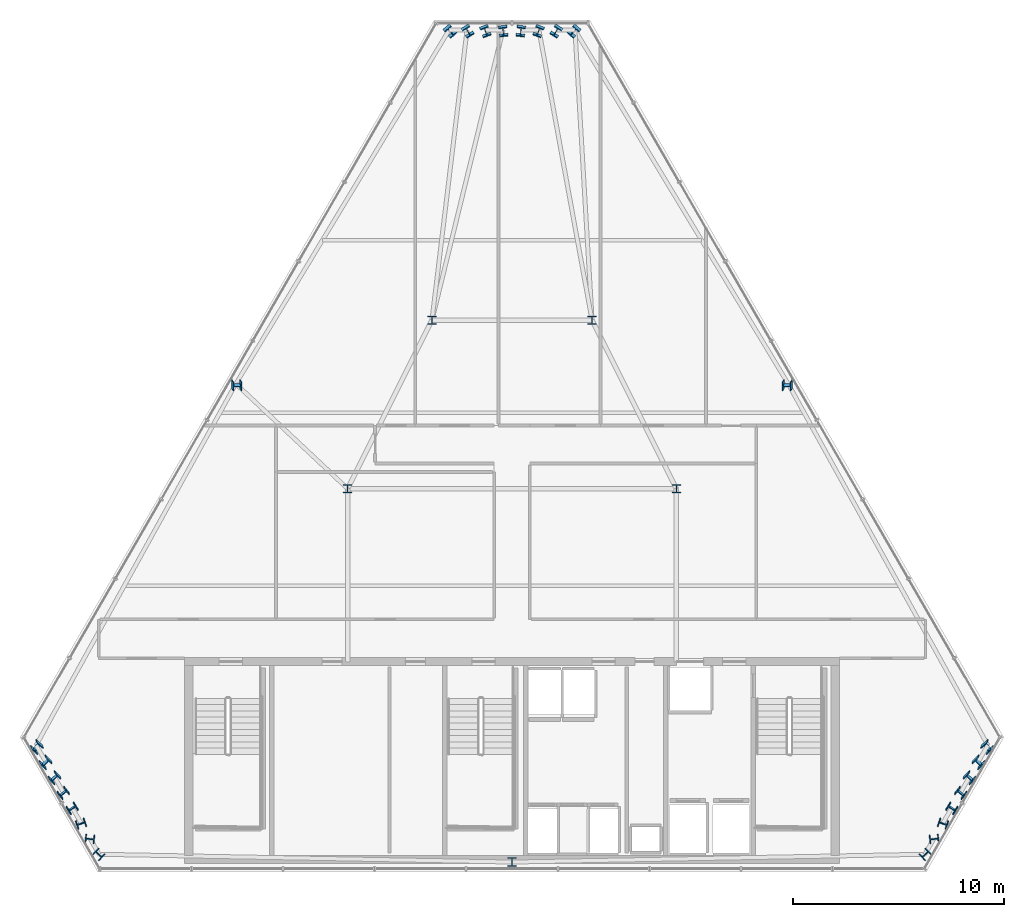
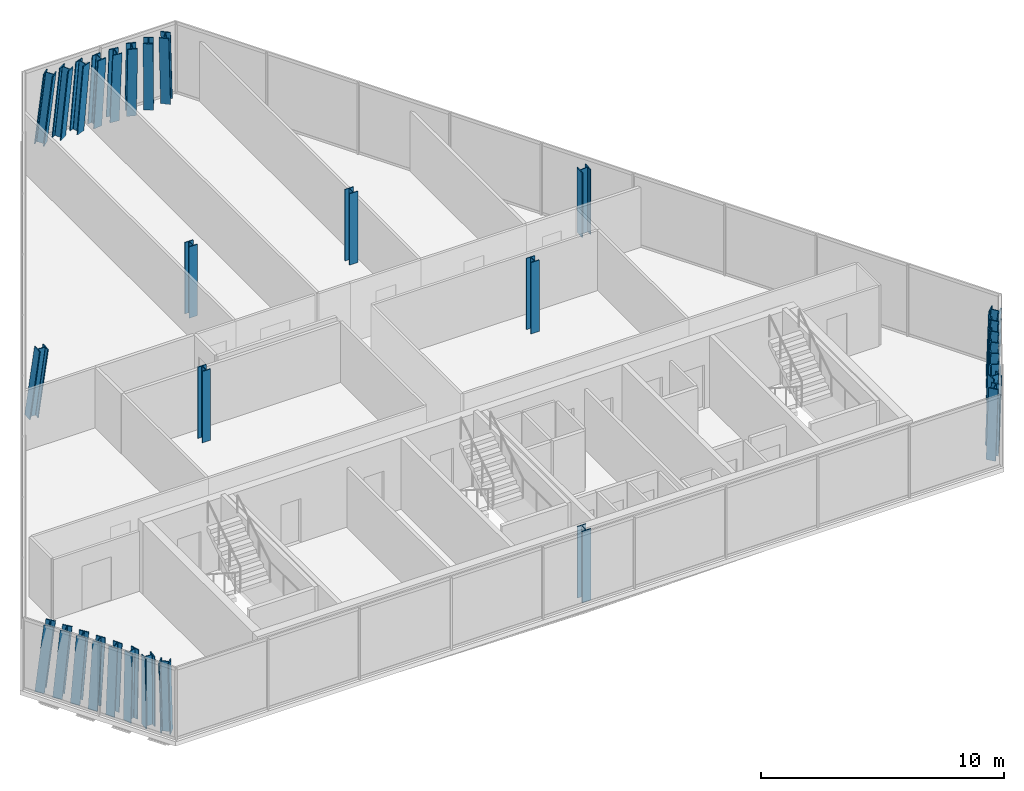
# One storey, part 1 of 29: 31 columns.
"""IFC4 building model written with IfcOpenShell, lengths in metres."""

from ifc_helpers import new_model, si_unit, direction, frame, origin, origin_2d, place, context, subcontext, project, spatial, i_section, extrude, material, material_profile, profile_set, type_object, element, save


model = new_model("IFC4")

# Units and contexts
model_context = context("Model", 3, precision=1e-05, world=origin(), true_north=direction((0.0, 1.0)))
body_context = subcontext(model_context, "Body", "Model", "MODEL_VIEW")
ifc_project = project(units=[si_unit("LENGTHUNIT", "METRE"), si_unit("AREAUNIT", "SQUARE_METRE"), si_unit("VOLUMEUNIT", "CUBIC_METRE"), si_unit("PLANEANGLEUNIT", "RADIAN"), si_unit("MASSUNIT", "GRAM", prefix="KILO")], contexts=[model_context])

# Site, building, storey
site_placement = place(None, origin())
site = spatial("IfcSite", under=ifc_project, at=site_placement, CompositionType="ELEMENT")
building_placement = place(site_placement, origin())
building = spatial("IfcBuilding", under=site, at=building_placement, Name="Ndaravel Arena Tower", CompositionType="ELEMENT")
storey_placement = place(building_placement, frame((0.0, 0.0, 237.0)))
storey = spatial("IfcBuildingStorey", under=building, at=storey_placement, Name="L57", CompositionType="ELEMENT", Elevation=237.0)

# Columns
ifc_material_1 = material(Name="Steel S355", Category="steel")
ifc_material_profile_1 = material_profile(ifc_material_1, i_section(OverallWidth=0.39892578125, OverallDepth=0.3935546875, WebThickness=0.022705078125, FlangeThickness=0.03662109375, FilletRadius=0.01513671875, at=origin_2d()), Name="UC 356x406x287")
ifc_profile_set_1 = profile_set([ifc_material_profile_1], Name="Steel S355")
column_type_1 = type_object("IfcColumnType", Name="COL-INT-UC287", PredefinedType="COLUMN", material=ifc_profile_set_1)
for number, where, z_axis, x_axis, name in (
    (1, (34.199951171875, 23.199951171875, 0.0), (0.0, 0.0, 1.0), (1.0, 0.0, 0.0), "L57 Interior Spine Column IC-01"),
    (2, (49.800048828125, 23.199951171875, 0.0), (0.0, 0.0, 1.0), (1.0, 0.0, 0.0), "L57 Interior Spine Column IC-02"),
    (3, (38.199951171875, 31.199951171875, 0.0), (0.0, 0.0, 1.0), (1.0, 0.0, 0.0), "L57 Interior Spine Column IC-03"),
    (4, (45.800048828125, 31.199951171875, 0.0), (0.0, 0.0, 1.0), (1.0, 0.0, 0.0), "L57 Interior Spine Column IC-04"),
):
    element("IfcColumn", number, at=place(storey_placement, frame(where, z_axis=z_axis, x_axis=x_axis)), inside=storey, type_object=column_type_1, Name=name, PredefinedType="COLUMN", context=body_context, shape_type="SweptSolid", body=[
        extrude(i_section(OverallWidth=0.39892578125, OverallDepth=0.3935546875, WebThickness=0.022705078125, FlangeThickness=0.03662109375, FilletRadius=0.01513671875, at=origin_2d()), origin(), (0.0, 0.0, 1.0), 3.580078125),
    ])
ifc_material_2 = material(Name="Steel S355", Category="steel")
ifc_material_profile_2 = material_profile(ifc_material_2, i_section(OverallWidth=0.412109375, OverallDepth=0.43505859375, WebThickness=0.035888671875, FlangeThickness=0.0439453125, FilletRadius=0.014892578125, at=origin_2d()), Name="HD 400x463")
ifc_profile_set_2 = profile_set([ifc_material_profile_2], Name="Steel S355")
column_type_2 = type_object("IfcColumnType", Name="COL-TUBE-HD463", PredefinedType="COLUMN", material=ifc_profile_set_2)
column_1_placement = place(storey_placement, frame((42.0, 5.47998046875, 0.0), z_axis=(0.0, 0.0, 1.0), x_axis=(1.0, 0.0, 0.0)))
element("IfcColumn", 5, at=column_1_placement, inside=storey, type_object=column_type_2, Name="L57 Framed Tube Column TC-01", PredefinedType="COLUMN", context=body_context, shape_type="SweptSolid", body=[
    extrude(i_section(OverallWidth=0.412109375, OverallDepth=0.43505859375, WebThickness=0.035888671875, FlangeThickness=0.0439453125, FilletRadius=0.014892578125, at=origin_2d()), origin(), (0.0, 0.0, 1.0), 3.580078125),
])
column_2_placement = place(storey_placement, frame((61.597412109375, 5.849609375, 0.0), z_axis=(0.029241641936, -0.008929265953, 0.999532488009), x_axis=(-0.681858172917, 0.731005012271, 0.026478369666)))
element("IfcColumn", 6, at=column_2_placement, inside=storey, type_object=column_type_2, Name="L57 Framed Tube Column TC-02", PredefinedType="COLUMN", context=body_context, shape_type="SweptSolid", body=[
    extrude(i_section(OverallWidth=0.412109375, OverallDepth=0.43505859375, WebThickness=0.035888671875, FlangeThickness=0.0439453125, FilletRadius=0.014892578125, at=origin_2d()), origin(), (0.0, 0.0, 1.0), 3.581787109375),
])
column_3_placement = place(storey_placement, frame((62.0244140625, 6.589111328125, 0.0), z_axis=(0.018879617772, -0.026854041163, 0.999461065028), x_axis=(-0.088781800771, 0.995645322005, 0.028428588085)))
element("IfcColumn", 7, at=column_3_placement, inside=storey, type_object=column_type_2, Name="L57 Framed Tube Column TC-03", PredefinedType="COLUMN", context=body_context, shape_type="SweptSolid", body=[
    extrude(i_section(OverallWidth=0.412109375, OverallDepth=0.43505859375, WebThickness=0.035888671875, FlangeThickness=0.0439453125, FilletRadius=0.014892578125, at=origin_2d()), origin(), (0.0, 0.0, 1.0), 3.58203125),
])
column_4_placement = place(storey_placement, frame((62.451171875, 7.328369140625, 0.0), z_axis=(0.008583570146, -0.044689063616, 0.998964068381), x_axis=(0.327839496766, 0.943911103758, 0.039409295381)))
element("IfcColumn", 8, at=column_4_placement, inside=storey, type_object=column_type_2, Name="L57 Framed Tube Column TC-04", PredefinedType="COLUMN", context=body_context, shape_type="SweptSolid", body=[
    extrude(i_section(OverallWidth=0.412109375, OverallDepth=0.43505859375, WebThickness=0.035888671875, FlangeThickness=0.0439453125, FilletRadius=0.014892578125, at=origin_2d()), origin(), (0.0, 0.0, 1.0), 3.583740234375),
])
column_5_placement = place(storey_placement, frame((62.8779296875, 8.06787109375, 0.0), z_axis=(-0.001701514809, -0.062547684371, 0.998040526245), x_axis=(0.52331914349, 0.850412101912, 0.054187922821)))
element("IfcColumn", 9, at=column_5_placement, inside=storey, type_object=column_type_2, Name="L57 Framed Tube Column TC-05", PredefinedType="COLUMN", context=body_context, shape_type="SweptSolid", body=[
    extrude(i_section(OverallWidth=0.412109375, OverallDepth=0.43505859375, WebThickness=0.035888671875, FlangeThickness=0.0439453125, FilletRadius=0.014892578125, at=origin_2d()), origin(), (0.0, 0.0, 1.0), 3.587158203125),
])
column_6_placement = place(storey_placement, frame((63.3046875, 8.80712890625, 0.0), z_axis=(-0.011962524537, -0.08033922729, 0.996695794395), x_axis=(0.621671409398, 0.7801131576, 0.070342875091)))
element("IfcColumn", 10, at=column_6_placement, inside=storey, type_object=column_type_2, Name="L57 Framed Tube Column TC-06", PredefinedType="COLUMN", context=body_context, shape_type="SweptSolid", body=[
    extrude(i_section(OverallWidth=0.412109375, OverallDepth=0.43505859375, WebThickness=0.035888671875, FlangeThickness=0.0439453125, FilletRadius=0.014892578125, at=origin_2d()), origin(), (0.0, 0.0, 1.0), 3.592041015625),
])
column_7_placement = place(storey_placement, frame((63.731689453125, 9.54638671875, 0.0), z_axis=(-0.022254524787, -0.09797418839, 0.994940095953), x_axis=(0.678437450751, 0.729487471668, 0.087009505792)))
element("IfcColumn", 11, at=column_7_placement, inside=storey, type_object=column_type_2, Name="L57 Framed Tube Column TC-07", PredefinedType="COLUMN", context=body_context, shape_type="SweptSolid", body=[
    extrude(i_section(OverallWidth=0.412109375, OverallDepth=0.43505859375, WebThickness=0.035888671875, FlangeThickness=0.0439453125, FilletRadius=0.014892578125, at=origin_2d()), origin(), (0.0, 0.0, 1.0), 3.598388671875),
])
column_8_placement = place(storey_placement, frame((64.158447265625, 10.285888671875, 0.0), z_axis=(-0.032496501638, -0.115565683949, 0.99276812503), x_axis=(0.714067106543, 0.692314653831, 0.103964356603)))
element("IfcColumn", 12, at=column_8_placement, inside=storey, type_object=column_type_2, Name="L57 Framed Tube Column TC-08", PredefinedType="COLUMN", context=body_context, shape_type="SweptSolid", body=[
    extrude(i_section(OverallWidth=0.412109375, OverallDepth=0.43505859375, WebThickness=0.035888671875, FlangeThickness=0.0439453125, FilletRadius=0.014892578125, at=origin_2d()), origin(), (0.0, 0.0, 1.0), 3.606201171875),
])
column_9_placement = place(storey_placement, frame((64.58544921875, 11.025146484375, 0.0), z_axis=(-0.042676478189, -0.132958837902, 0.990202335704), x_axis=(0.738156757182, 0.663701816369, 0.120931802166)))
element("IfcColumn", 13, at=column_9_placement, inside=storey, type_object=column_type_2, Name="L57 Framed Tube Column TC-09", PredefinedType="COLUMN", context=body_context, shape_type="SweptSolid", body=[
    extrude(i_section(OverallWidth=0.412109375, OverallDepth=0.43505859375, WebThickness=0.035888671875, FlangeThickness=0.0439453125, FilletRadius=0.014892578125, at=origin_2d()), origin(), (0.0, 0.0, 1.0), 3.615478515625),
])
column_10_placement = place(storey_placement, frame((55.10693359375, 28.181884765625, 0.0), z_axis=(-0.064912288399, -0.112447016258, 0.9915352053), x_axis=(-0.003725189873, 0.993651181488, 0.112443107783)))
element("IfcColumn", 14, at=column_10_placement, inside=storey, type_object=column_type_2, Name="L57 Framed Tube Column TC-10", PredefinedType="COLUMN", context=body_context, shape_type="SweptSolid", body=[
    extrude(i_section(OverallWidth=0.412109375, OverallDepth=0.43505859375, WebThickness=0.035888671875, FlangeThickness=0.0439453125, FilletRadius=0.014892578125, at=origin_2d()), origin(), (0.0, 0.0, 1.0), 3.610595703125),
])
column_11_placement = place(storey_placement, frame((44.988037109375, 44.968994140625, 0.0), z_axis=(-0.071915811015, -0.083099702455, 0.993942933763), x_axis=(0.756156944326, -0.654390308262, 0.0)))
element("IfcColumn", 15, at=column_11_placement, inside=storey, type_object=column_type_2, Name="L57 Framed Tube Column TC-11", PredefinedType="COLUMN", context=body_context, shape_type="SweptSolid", body=[
    extrude(i_section(OverallWidth=0.412109375, OverallDepth=0.43505859375, WebThickness=0.035888671875, FlangeThickness=0.0439453125, FilletRadius=0.014892578125, at=origin_2d()), origin(), (0.0, 0.0, 1.0), 3.601806640625),
])
column_12_placement = place(storey_placement, frame((44.134521484375, 44.968994140625, 0.0), z_axis=(-0.051510979578, -0.083204823402, 0.995200269466), x_axis=(0.850250366508, -0.526378489543, 0.0)))
element("IfcColumn", 16, at=column_12_placement, inside=storey, type_object=column_type_2, Name="L57 Framed Tube Column TC-12", PredefinedType="COLUMN", context=body_context, shape_type="SweptSolid", body=[
    extrude(i_section(OverallWidth=0.412109375, OverallDepth=0.43505859375, WebThickness=0.035888671875, FlangeThickness=0.0439453125, FilletRadius=0.014892578125, at=origin_2d()), origin(), (0.0, 0.0, 1.0), 3.597412109375),
])
column_13_placement = place(storey_placement, frame((43.280517578125, 44.968994140625, 0.0), z_axis=(-0.030837859571, -0.083275805803, 0.996049279195), x_axis=(0.937767212955, -0.347264530735, 0.0)))
element("IfcColumn", 17, at=column_13_placement, inside=storey, type_object=column_type_2, Name="L57 Framed Tube Column TC-13", PredefinedType="COLUMN", context=body_context, shape_type="SweptSolid", body=[
    extrude(i_section(OverallWidth=0.412109375, OverallDepth=0.43505859375, WebThickness=0.035888671875, FlangeThickness=0.0439453125, FilletRadius=0.014892578125, at=origin_2d()), origin(), (0.0, 0.0, 1.0), 3.59423828125),
])
for number, where, z_axis, x_axis, name in (
    (18, (42.427001953125, 44.968994140625, 0.0), (-0.0103289314, -0.083310986165, 0.996470066164), (0.992401909385, -0.123038409646, 0.0), "L57 Framed Tube Column TC-14"),
    (19, (41.572998046875, 44.968994140625, 0.0), (0.0103289314, -0.083310986165, 0.996470066164), (0.992401909385, 0.123038409646, 0.0), "L57 Framed Tube Column TC-15"),
):
    element("IfcColumn", number, at=place(storey_placement, frame(where, z_axis=z_axis, x_axis=x_axis)), inside=storey, type_object=column_type_2, Name=name, PredefinedType="COLUMN", context=body_context, shape_type="SweptSolid", body=[
        extrude(i_section(OverallWidth=0.412109375, OverallDepth=0.43505859375, WebThickness=0.035888671875, FlangeThickness=0.0439453125, FilletRadius=0.014892578125, at=origin_2d()), origin(), (0.0, 0.0, 1.0), 3.5927734375),
    ])
column_14_placement = place(storey_placement, frame((40.719482421875, 44.968994140625, 0.0), z_axis=(0.030837859571, -0.083275805803, 0.996049279195), x_axis=(0.937767212955, 0.347264530735, 0.0)))
element("IfcColumn", 20, at=column_14_placement, inside=storey, type_object=column_type_2, Name="L57 Framed Tube Column TC-16", PredefinedType="COLUMN", context=body_context, shape_type="SweptSolid", body=[
    extrude(i_section(OverallWidth=0.412109375, OverallDepth=0.43505859375, WebThickness=0.035888671875, FlangeThickness=0.0439453125, FilletRadius=0.014892578125, at=origin_2d()), origin(), (0.0, 0.0, 1.0), 3.59423828125),
])
column_15_placement = place(storey_placement, frame((39.865478515625, 44.968994140625, 0.0), z_axis=(0.051510979578, -0.083204823402, 0.995200269466), x_axis=(0.850250366508, 0.526378489543, 0.0)))
element("IfcColumn", 21, at=column_15_placement, inside=storey, type_object=column_type_2, Name="L57 Framed Tube Column TC-17", PredefinedType="COLUMN", context=body_context, shape_type="SweptSolid", body=[
    extrude(i_section(OverallWidth=0.412109375, OverallDepth=0.43505859375, WebThickness=0.035888671875, FlangeThickness=0.0439453125, FilletRadius=0.014892578125, at=origin_2d()), origin(), (0.0, 0.0, 1.0), 3.597412109375),
])
column_16_placement = place(storey_placement, frame((39.011962890625, 44.968994140625, 0.0), z_axis=(0.071915811015, -0.083099702455, 0.993942933763), x_axis=(0.756156944326, 0.654390308262, 0.0)))
element("IfcColumn", 22, at=column_16_placement, inside=storey, type_object=column_type_2, Name="L57 Framed Tube Column TC-18", PredefinedType="COLUMN", context=body_context, shape_type="SweptSolid", body=[
    extrude(i_section(OverallWidth=0.412109375, OverallDepth=0.43505859375, WebThickness=0.035888671875, FlangeThickness=0.0439453125, FilletRadius=0.014892578125, at=origin_2d()), origin(), (0.0, 0.0, 1.0), 3.601806640625),
])
column_17_placement = place(storey_placement, frame((28.89306640625, 28.181884765625, 0.0), z_axis=(0.064912288399, -0.112447016258, 0.9915352053), x_axis=(0.003725189873, 0.993651181488, 0.112443107783)))
element("IfcColumn", 23, at=column_17_placement, inside=storey, type_object=column_type_2, Name="L57 Framed Tube Column TC-19", PredefinedType="COLUMN", context=body_context, shape_type="SweptSolid", body=[
    extrude(i_section(OverallWidth=0.412109375, OverallDepth=0.43505859375, WebThickness=0.035888671875, FlangeThickness=0.0439453125, FilletRadius=0.014892578125, at=origin_2d()), origin(), (0.0, 0.0, 1.0), 3.610595703125),
])
column_18_placement = place(storey_placement, frame((19.41455078125, 11.025146484375, 0.0), z_axis=(0.042676478189, -0.132958837902, 0.990202335704), x_axis=(-0.738156757182, 0.663701816369, 0.120931802166)))
element("IfcColumn", 24, at=column_18_placement, inside=storey, type_object=column_type_2, Name="L57 Framed Tube Column TC-20", PredefinedType="COLUMN", context=body_context, shape_type="SweptSolid", body=[
    extrude(i_section(OverallWidth=0.412109375, OverallDepth=0.43505859375, WebThickness=0.035888671875, FlangeThickness=0.0439453125, FilletRadius=0.014892578125, at=origin_2d()), origin(), (0.0, 0.0, 1.0), 3.615478515625),
])
column_19_placement = place(storey_placement, frame((19.841552734375, 10.285888671875, 0.0), z_axis=(0.032496501638, -0.115565683949, 0.99276812503), x_axis=(-0.714067106543, 0.692314653831, 0.103964356603)))
element("IfcColumn", 25, at=column_19_placement, inside=storey, type_object=column_type_2, Name="L57 Framed Tube Column TC-21", PredefinedType="COLUMN", context=body_context, shape_type="SweptSolid", body=[
    extrude(i_section(OverallWidth=0.412109375, OverallDepth=0.43505859375, WebThickness=0.035888671875, FlangeThickness=0.0439453125, FilletRadius=0.014892578125, at=origin_2d()), origin(), (0.0, 0.0, 1.0), 3.606201171875),
])
column_20_placement = place(storey_placement, frame((20.268310546875, 9.54638671875, 0.0), z_axis=(0.022254524787, -0.09797418839, 0.994940095953), x_axis=(-0.678437450751, 0.729487471668, 0.087009505792)))
element("IfcColumn", 26, at=column_20_placement, inside=storey, type_object=column_type_2, Name="L57 Framed Tube Column TC-22", PredefinedType="COLUMN", context=body_context, shape_type="SweptSolid", body=[
    extrude(i_section(OverallWidth=0.412109375, OverallDepth=0.43505859375, WebThickness=0.035888671875, FlangeThickness=0.0439453125, FilletRadius=0.014892578125, at=origin_2d()), origin(), (0.0, 0.0, 1.0), 3.598388671875),
])
column_21_placement = place(storey_placement, frame((20.6953125, 8.80712890625, 0.0), z_axis=(0.011962524537, -0.08033922729, 0.996695794395), x_axis=(-0.621671409398, 0.7801131576, 0.070342875091)))
element("IfcColumn", 27, at=column_21_placement, inside=storey, type_object=column_type_2, Name="L57 Framed Tube Column TC-23", PredefinedType="COLUMN", context=body_context, shape_type="SweptSolid", body=[
    extrude(i_section(OverallWidth=0.412109375, OverallDepth=0.43505859375, WebThickness=0.035888671875, FlangeThickness=0.0439453125, FilletRadius=0.014892578125, at=origin_2d()), origin(), (0.0, 0.0, 1.0), 3.592041015625),
])
column_22_placement = place(storey_placement, frame((21.1220703125, 8.06787109375, 0.0), z_axis=(0.001701514809, -0.062547684371, 0.998040526245), x_axis=(-0.52331914349, 0.850412101912, 0.054187922821)))
element("IfcColumn", 28, at=column_22_placement, inside=storey, type_object=column_type_2, Name="L57 Framed Tube Column TC-24", PredefinedType="COLUMN", context=body_context, shape_type="SweptSolid", body=[
    extrude(i_section(OverallWidth=0.412109375, OverallDepth=0.43505859375, WebThickness=0.035888671875, FlangeThickness=0.0439453125, FilletRadius=0.014892578125, at=origin_2d()), origin(), (0.0, 0.0, 1.0), 3.587158203125),
])
column_23_placement = place(storey_placement, frame((21.548828125, 7.328369140625, 0.0), z_axis=(-0.008583570146, -0.044689063616, 0.998964068381), x_axis=(-0.327839496766, 0.943911103758, 0.039409295381)))
element("IfcColumn", 29, at=column_23_placement, inside=storey, type_object=column_type_2, Name="L57 Framed Tube Column TC-25", PredefinedType="COLUMN", context=body_context, shape_type="SweptSolid", body=[
    extrude(i_section(OverallWidth=0.412109375, OverallDepth=0.43505859375, WebThickness=0.035888671875, FlangeThickness=0.0439453125, FilletRadius=0.014892578125, at=origin_2d()), origin(), (0.0, 0.0, 1.0), 3.583740234375),
])
column_24_placement = place(storey_placement, frame((21.9755859375, 6.589111328125, 0.0), z_axis=(-0.018879617772, -0.026854041163, 0.999461065028), x_axis=(0.088781800771, 0.995645322005, 0.028428588085)))
element("IfcColumn", 30, at=column_24_placement, inside=storey, type_object=column_type_2, Name="L57 Framed Tube Column TC-26", PredefinedType="COLUMN", context=body_context, shape_type="SweptSolid", body=[
    extrude(i_section(OverallWidth=0.412109375, OverallDepth=0.43505859375, WebThickness=0.035888671875, FlangeThickness=0.0439453125, FilletRadius=0.014892578125, at=origin_2d()), origin(), (0.0, 0.0, 1.0), 3.58203125),
])
column_25_placement = place(storey_placement, frame((22.402587890625, 5.849609375, 0.0), z_axis=(-0.029241641936, -0.008929265953, 0.999532488009), x_axis=(0.681858172917, 0.731005012271, 0.026478369666)))
element("IfcColumn", 31, at=column_25_placement, inside=storey, type_object=column_type_2, Name="L57 Framed Tube Column TC-27", PredefinedType="COLUMN", context=body_context, shape_type="SweptSolid", body=[
    extrude(i_section(OverallWidth=0.412109375, OverallDepth=0.43505859375, WebThickness=0.035888671875, FlangeThickness=0.0439453125, FilletRadius=0.014892578125, at=origin_2d()), origin(), (0.0, 0.0, 1.0), 3.581787109375),
])

save(model, "model.ifc")
